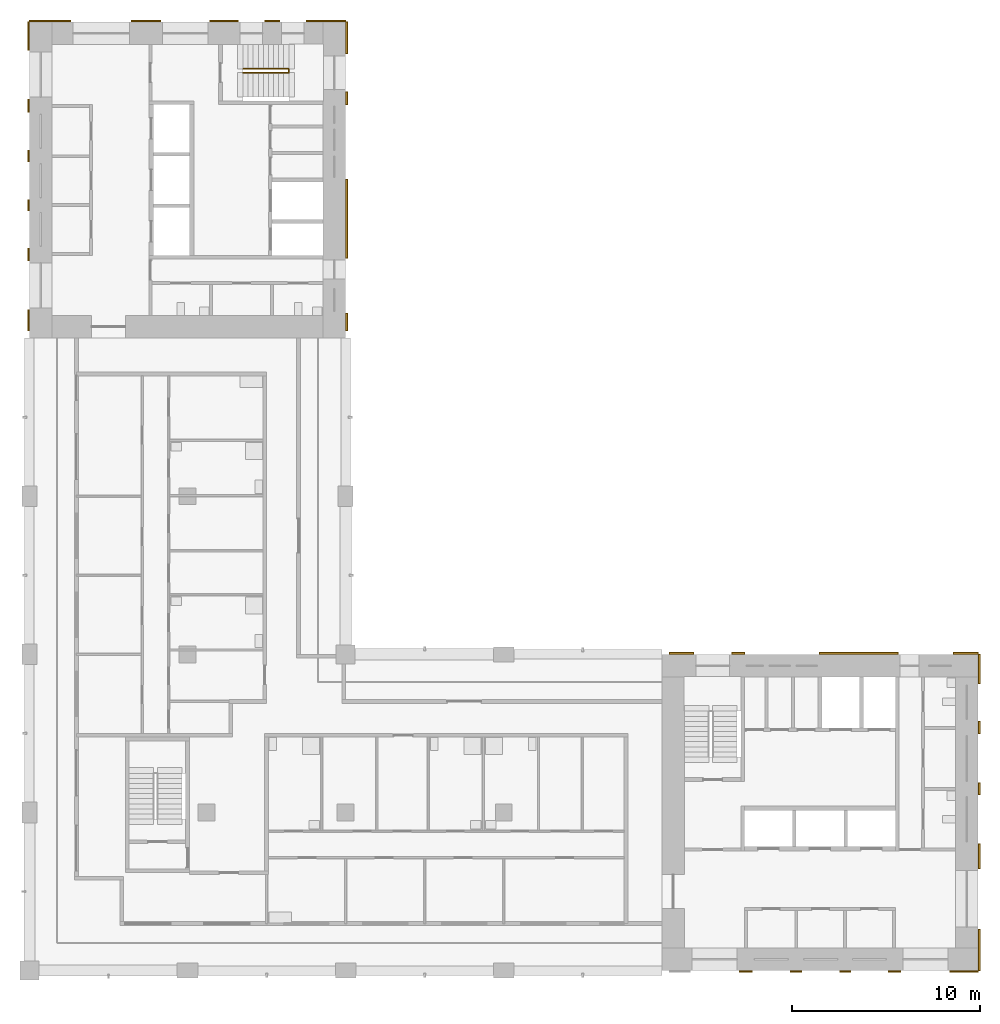
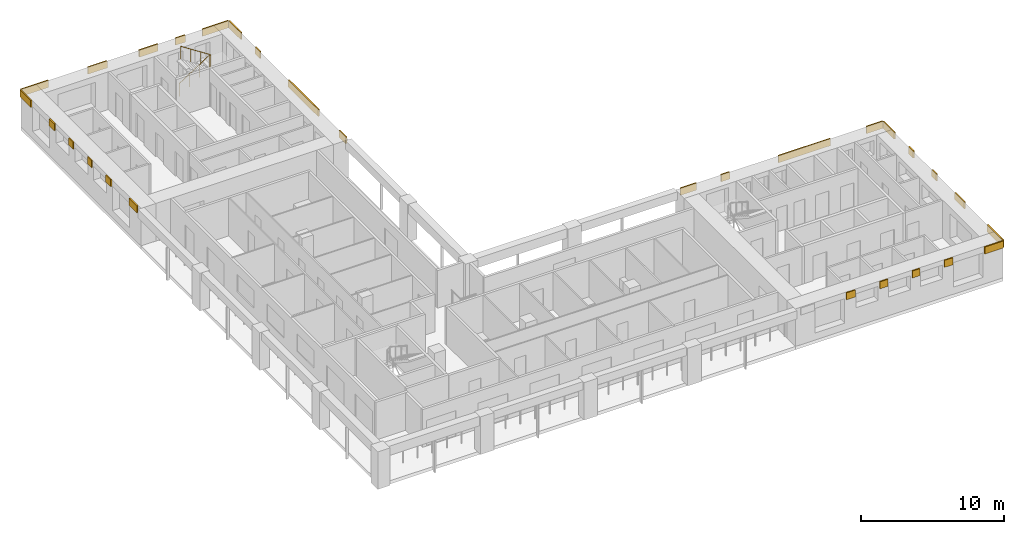
# One storey, part 9 of 10: 29 shading devices, 1 railing.
"""IFC4 building model written with IfcOpenShell, lengths in metres."""

from ifc_helpers import new_model, si_unit, direction, frame, origin, origin_2d, place, context, subcontext, project, spatial, rectangle, circle, extrude, material, layer, layer_set, type_object, element, save


model = new_model("IFC4")

# Units and contexts
model_context = context("Model", 3, precision=1e-05, world=origin(), true_north=direction((0.0, 1.0)))
body_context = subcontext(model_context, "Body", "Model", "MODEL_VIEW")
ifc_project = project(units=[si_unit("LENGTHUNIT", "METRE"), si_unit("AREAUNIT", "SQUARE_METRE"), si_unit("VOLUMEUNIT", "CUBIC_METRE"), si_unit("PLANEANGLEUNIT", "RADIAN"), si_unit("MASSUNIT", "GRAM", prefix="KILO")], contexts=[model_context])

# Site, building, storey
site_placement = place(None, origin())
site = spatial("IfcSite", under=ifc_project, at=site_placement, CompositionType="ELEMENT")
building_placement = place(site_placement, origin())
building = spatial("IfcBuilding", under=site, at=building_placement, Name="Vermilion Gate Residences", CompositionType="ELEMENT")
storey_placement = place(building_placement, frame((0.0, 0.0, 266.699951171875)))
storey = spatial("IfcBuildingStorey", under=building, at=storey_placement, Name="L70", CompositionType="ELEMENT", Elevation=266.699951171875)

# Railing
ifc_material_1 = material(Name="Steel S355", Category="steel")
railing_type = type_object("IfcRailingType", Name="STAIR GUARD 1100 STEEL", PredefinedType="GUARDRAIL", material=ifc_material_1)
railing_placement = place(storey_placement, frame((19.75, 56.300048828125, 0.175048828125)))
element("IfcRailing", 1, at=railing_placement, inside=storey, type_object=railing_type, Name="Stair well guard STB1-70", PredefinedType="GUARDRAIL", context=body_context, shape_type="SweptSolid", body=[
    extrude(circle(Radius=0.02392578125, at=origin_2d()), frame((0.0, 0.0, 1.076171875), z_axis=(0.839153699163, 0.0, 0.543894354798), x_axis=(0.0, 1.0, 0.0)), (0.0, 0.0, 1.0), 2.895751953125),
    extrude(circle(Radius=0.02392578125, at=origin_2d()), frame((2.429931640625, 0.0, 2.65087890625), z_axis=(0.0, -0.752405939678, 0.658699705433), x_axis=(1.0, 0.0, 0.0)), (0.0, 0.0, 1.0), 0.265869140625),
    extrude(circle(Radius=0.02392578125, at=origin_2d()), frame((2.429931640625, -0.199951171875, 2.826171875), z_axis=(-0.839153699163, 0.0, 0.543894354798), x_axis=(0.0, -1.0, 0.0)), (0.0, 0.0, 1.0), 2.895751953125),
    extrude(circle(Radius=0.02099609375, at=origin_2d()), origin(), (0.0, 0.0, 1.0), 1.052001953125),
    extrude(circle(Radius=0.02099609375, at=origin_2d()), frame((0.81005859375, 0.0, 0.52490234375)), (0.0, 0.0, 1.0), 1.052001953125),
    extrude(circle(Radius=0.02099609375, at=origin_2d()), frame((1.619873046875, 0.0, 1.050048828125)), (0.0, 0.0, 1.0), 1.052001953125),
    extrude(circle(Radius=0.02099609375, at=origin_2d()), frame((2.429931640625, 0.0, 1.574951171875)), (0.0, 0.0, 1.0), 1.052001953125),
    extrude(circle(Radius=0.02099609375, at=origin_2d()), frame((2.429931640625, -0.199951171875, 1.75)), (0.0, 0.0, 1.0), 1.052001953125),
    extrude(circle(Radius=0.02099609375, at=origin_2d()), frame((1.619873046875, -0.199951171875, 2.27490234375)), (0.0, 0.0, 1.0), 1.052001953125),
    extrude(circle(Radius=0.02099609375, at=origin_2d()), frame((0.81005859375, -0.199951171875, 2.800048828125)), (0.0, 0.0, 1.0), 1.052001953125),
    extrude(circle(Radius=0.02099609375, at=origin_2d()), frame((0.0, -0.199951171875, 3.324951171875)), (0.0, 0.0, 1.0), 1.052001953125),
])

# Shading devices
ifc_material_2 = material(Name="Extruded terracotta", Category="masonry")
ifc_layer = layer(ifc_material_2, 0.10009765625)
ifc_layer_set = layer_set([ifc_layer], Name="TERRACOTTA SPANDREL BAND 600 X 100")
shading_device_type = type_object("IfcShadingDeviceType", Name="TERRACOTTA SPANDREL BAND 600 X 100", PredefinedType="USERDEFINED", material=ifc_layer_set)
shading_device_1_placement = place(storey_placement, frame((46.4541015625, 8.35009765625, 2.6201171875), z_axis=(0.0, 0.0, 1.0), x_axis=(1.0, 0.0, 0.0)))
element("IfcShadingDevice", 2, at=shading_device_1_placement, inside=storey, type_object=shading_device_type, Name="SPANDREL BAND", ObjectType="BAND", PredefinedType="USERDEFINED", context=body_context, shape_type="SweptSolid", body=[
    extrude(rectangle(XDim=0.7080078125, YDim=0.10009765625, at=origin_2d()), origin(), (0.0, 0.0, 1.0), 0.60009765625),
])
shading_device_2_placement = place(storey_placement, frame((49.12255859375, 8.35009765625, 2.6201171875), z_axis=(0.0, 0.0, 1.0), x_axis=(1.0, 0.0, 0.0)))
element("IfcShadingDevice", 3, at=shading_device_2_placement, inside=storey, type_object=shading_device_type, Name="SPANDREL BAND", ObjectType="BAND", PredefinedType="USERDEFINED", context=body_context, shape_type="SweptSolid", body=[
    extrude(rectangle(XDim=0.62890625, YDim=0.10009765625, at=origin_2d()), origin(), (0.0, 0.0, 1.0), 0.60009765625),
])
shading_device_3_placement = place(storey_placement, frame((51.73291015625, 8.35009765625, 2.6201171875), z_axis=(0.0, 0.0, 1.0), x_axis=(1.0, 0.0, 0.0)))
element("IfcShadingDevice", 4, at=shading_device_3_placement, inside=storey, type_object=shading_device_type, Name="SPANDREL BAND", ObjectType="BAND", PredefinedType="USERDEFINED", context=body_context, shape_type="SweptSolid", body=[
    extrude(rectangle(XDim=0.592041015625, YDim=0.10009765625, at=origin_2d()), origin(), (0.0, 0.0, 1.0), 0.60009765625),
])
shading_device_4_placement = place(storey_placement, frame((54.364501953125, 8.35009765625, 2.6201171875), z_axis=(0.0, 0.0, 1.0), x_axis=(1.0, 0.0, 0.0)))
element("IfcShadingDevice", 5, at=shading_device_4_placement, inside=storey, type_object=shading_device_type, Name="SPANDREL BAND", ObjectType="BAND", PredefinedType="USERDEFINED", context=body_context, shape_type="SweptSolid", body=[
    extrude(rectangle(XDim=0.6708984375, YDim=0.10009765625, at=origin_2d()), origin(), (0.0, 0.0, 1.0), 0.60009765625),
])
shading_device_5_placement = place(storey_placement, frame((58.050048828125, 8.35009765625, 2.6201171875), z_axis=(0.0, 0.0, 1.0), x_axis=(1.0, 0.0, 0.0)))
element("IfcShadingDevice", 6, at=shading_device_5_placement, inside=storey, type_object=shading_device_type, Name="SPANDREL BAND", ObjectType="BAND", PredefinedType="USERDEFINED", context=body_context, shape_type="SweptSolid", body=[
    extrude(rectangle(XDim=1.5, YDim=0.10009765625, at=origin_2d()), origin(), (0.0, 0.0, 1.0), 0.60009765625),
])
shading_device_6_placement = place(storey_placement, frame((43.050048828125, 25.25, 2.6201171875), z_axis=(0.0, 0.0, 1.0), x_axis=(1.0, 0.0, 0.0)))
element("IfcShadingDevice", 7, at=shading_device_6_placement, inside=storey, type_object=shading_device_type, Name="SPANDREL BAND", ObjectType="BAND", PredefinedType="USERDEFINED", context=body_context, shape_type="SweptSolid", body=[
    extrude(rectangle(XDim=1.300048828125, YDim=0.10009765625, at=origin_2d()), origin(), (0.0, 0.0, 1.0), 0.60009765625),
])
shading_device_7_placement = place(storey_placement, frame((46.044921875, 25.25, 2.6201171875), z_axis=(0.0, 0.0, 1.0), x_axis=(1.0, 0.0, 0.0)))
element("IfcShadingDevice", 8, at=shading_device_7_placement, inside=storey, type_object=shading_device_type, Name="SPANDREL BAND", ObjectType="BAND", PredefinedType="USERDEFINED", context=body_context, shape_type="SweptSolid", body=[
    extrude(rectangle(XDim=0.68994140625, YDim=0.10009765625, at=origin_2d()), origin(), (0.0, 0.0, 1.0), 0.60009765625),
])
shading_device_8_placement = place(storey_placement, frame((52.449951171875, 25.25, 2.6201171875), z_axis=(0.0, 0.0, 1.0), x_axis=(1.0, 0.0, 0.0)))
element("IfcShadingDevice", 9, at=shading_device_8_placement, inside=storey, type_object=shading_device_type, Name="SPANDREL BAND", ObjectType="BAND", PredefinedType="USERDEFINED", context=body_context, shape_type="SweptSolid", body=[
    extrude(rectangle(XDim=4.199951171875, YDim=0.10009765625, at=origin_2d()), origin(), (0.0, 0.0, 1.0), 0.60009765625),
])
shading_device_9_placement = place(storey_placement, frame((58.137451171875, 25.25, 2.6201171875), z_axis=(0.0, 0.0, 1.0), x_axis=(1.0, 0.0, 0.0)))
element("IfcShadingDevice", 10, at=shading_device_9_placement, inside=storey, type_object=shading_device_type, Name="SPANDREL BAND", ObjectType="BAND", PredefinedType="USERDEFINED", context=body_context, shape_type="SweptSolid", body=[
    extrude(rectangle(XDim=1.324951171875, YDim=0.10009765625, at=origin_2d()), origin(), (0.0, 0.0, 1.0), 0.60009765625),
])
shading_device_10_placement = place(storey_placement, frame((58.85009765625, 9.50244140625, 2.6201171875), z_axis=(0.0, 0.0, 1.0), x_axis=(0.0, 1.0, 0.0)))
element("IfcShadingDevice", 11, at=shading_device_10_placement, inside=storey, type_object=shading_device_type, Name="SPANDREL BAND", ObjectType="BAND", PredefinedType="USERDEFINED", context=body_context, shape_type="SweptSolid", body=[
    extrude(rectangle(XDim=2.205078125, YDim=0.10009765625, at=origin_2d()), origin(), (0.0, 0.0, 1.0), 0.60009765625),
])
shading_device_11_placement = place(storey_placement, frame((58.85009765625, 14.472412109375, 2.6201171875), z_axis=(0.0, 0.0, 1.0), x_axis=(0.0, 1.0, 0.0)))
element("IfcShadingDevice", 12, at=shading_device_11_placement, inside=storey, type_object=shading_device_type, Name="SPANDREL BAND", ObjectType="BAND", PredefinedType="USERDEFINED", context=body_context, shape_type="SweptSolid", body=[
    extrude(rectangle(XDim=1.3349609375, YDim=0.10009765625, at=origin_2d()), origin(), (0.0, 0.0, 1.0), 0.60009765625),
])
shading_device_12_placement = place(storey_placement, frame((58.85009765625, 18.054931640625, 2.6201171875), z_axis=(0.0, 0.0, 1.0), x_axis=(0.0, 1.0, 0.0)))
element("IfcShadingDevice", 13, at=shading_device_12_placement, inside=storey, type_object=shading_device_type, Name="SPANDREL BAND", ObjectType="BAND", PredefinedType="USERDEFINED", context=body_context, shape_type="SweptSolid", body=[
    extrude(rectangle(XDim=0.6298828125, YDim=0.10009765625, at=origin_2d()), origin(), (0.0, 0.0, 1.0), 0.60009765625),
])
shading_device_13_placement = place(storey_placement, frame((58.85009765625, 21.31005859375, 2.6201171875), z_axis=(0.0, 0.0, 1.0), x_axis=(0.0, 1.0, 0.0)))
element("IfcShadingDevice", 14, at=shading_device_13_placement, inside=storey, type_object=shading_device_type, Name="SPANDREL BAND", ObjectType="BAND", PredefinedType="USERDEFINED", context=body_context, shape_type="SweptSolid", body=[
    extrude(rectangle(XDim=0.679931640625, YDim=0.10009765625, at=origin_2d()), origin(), (0.0, 0.0, 1.0), 0.60009765625),
])
shading_device_14_placement = place(storey_placement, frame((58.85009765625, 24.425048828125, 2.6201171875), z_axis=(0.0, 0.0, 1.0), x_axis=(0.0, 1.0, 0.0)))
element("IfcShadingDevice", 15, at=shading_device_14_placement, inside=storey, type_object=shading_device_type, Name="SPANDREL BAND", ObjectType="BAND", PredefinedType="USERDEFINED", context=body_context, shape_type="SweptSolid", body=[
    extrude(rectangle(XDim=1.550048828125, YDim=0.10009765625, at=origin_2d()), origin(), (0.0, 0.0, 1.0), 0.60009765625),
])
shading_device_15_placement = place(storey_placement, frame((9.50244140625, 58.85009765625, 2.6201171875), z_axis=(0.0, 0.0, 1.0), x_axis=(1.0, 0.0, 0.0)))
element("IfcShadingDevice", 16, at=shading_device_15_placement, inside=storey, type_object=shading_device_type, Name="SPANDREL BAND", ObjectType="BAND", PredefinedType="USERDEFINED", context=body_context, shape_type="SweptSolid", body=[
    extrude(rectangle(XDim=2.205078125, YDim=0.10009765625, at=origin_2d()), origin(), (0.0, 0.0, 1.0), 0.60009765625),
])
shading_device_16_placement = place(storey_placement, frame((14.590087890625, 58.85009765625, 2.6201171875), z_axis=(0.0, 0.0, 1.0), x_axis=(1.0, 0.0, 0.0)))
element("IfcShadingDevice", 17, at=shading_device_16_placement, inside=storey, type_object=shading_device_type, Name="SPANDREL BAND", ObjectType="BAND", PredefinedType="USERDEFINED", context=body_context, shape_type="SweptSolid", body=[
    extrude(rectangle(XDim=1.570068359375, YDim=0.10009765625, at=origin_2d()), origin(), (0.0, 0.0, 1.0), 0.60009765625),
])
shading_device_17_placement = place(storey_placement, frame((18.734130859375, 58.85009765625, 2.6201171875), z_axis=(0.0, 0.0, 1.0), x_axis=(1.0, 0.0, 0.0)))
element("IfcShadingDevice", 18, at=shading_device_17_placement, inside=storey, type_object=shading_device_type, Name="SPANDREL BAND", ObjectType="BAND", PredefinedType="USERDEFINED", context=body_context, shape_type="SweptSolid", body=[
    extrude(rectangle(XDim=1.518310546875, YDim=0.10009765625, at=origin_2d()), origin(), (0.0, 0.0, 1.0), 0.60009765625),
])
shading_device_18_placement = place(storey_placement, frame((21.294921875, 58.85009765625, 2.6201171875), z_axis=(0.0, 0.0, 1.0), x_axis=(1.0, 0.0, 0.0)))
element("IfcShadingDevice", 19, at=shading_device_18_placement, inside=storey, type_object=shading_device_type, Name="SPANDREL BAND", ObjectType="BAND", PredefinedType="USERDEFINED", context=body_context, shape_type="SweptSolid", body=[
    extrude(rectangle(XDim=0.803466796875, YDim=0.10009765625, at=origin_2d()), origin(), (0.0, 0.0, 1.0), 0.60009765625),
])
shading_device_19_placement = place(storey_placement, frame((24.1484375, 58.85009765625, 2.6201171875), z_axis=(0.0, 0.0, 1.0), x_axis=(1.0, 0.0, 0.0)))
element("IfcShadingDevice", 20, at=shading_device_19_placement, inside=storey, type_object=shading_device_type, Name="SPANDREL BAND", ObjectType="BAND", PredefinedType="USERDEFINED", context=body_context, shape_type="SweptSolid", body=[
    extrude(rectangle(XDim=2.103271484375, YDim=0.10009765625, at=origin_2d()), origin(), (0.0, 0.0, 1.0), 0.60009765625),
])
shading_device_20_placement = place(storey_placement, frame((8.35009765625, 42.949951171875, 2.6201171875), z_axis=(0.0, 0.0, 1.0), x_axis=(0.0, 1.0, 0.0)))
element("IfcShadingDevice", 21, at=shading_device_20_placement, inside=storey, type_object=shading_device_type, Name="SPANDREL BAND", ObjectType="BAND", PredefinedType="USERDEFINED", context=body_context, shape_type="SweptSolid", body=[
    extrude(rectangle(XDim=1.10009765625, YDim=0.10009765625, at=origin_2d()), origin(), (0.0, 0.0, 1.0), 0.60009765625),
])
shading_device_21_placement = place(storey_placement, frame((8.35009765625, 46.435546875, 2.6201171875), z_axis=(0.0, 0.0, 1.0), x_axis=(0.0, 1.0, 0.0)))
element("IfcShadingDevice", 22, at=shading_device_21_placement, inside=storey, type_object=shading_device_type, Name="SPANDREL BAND", ObjectType="BAND", PredefinedType="USERDEFINED", context=body_context, shape_type="SweptSolid", body=[
    extrude(rectangle(XDim=0.6708984375, YDim=0.10009765625, at=origin_2d()), origin(), (0.0, 0.0, 1.0), 0.60009765625),
])
shading_device_22_placement = place(storey_placement, frame((8.35009765625, 49.06689453125, 2.6201171875), z_axis=(0.0, 0.0, 1.0), x_axis=(0.0, 1.0, 0.0)))
element("IfcShadingDevice", 23, at=shading_device_22_placement, inside=storey, type_object=shading_device_type, Name="SPANDREL BAND", ObjectType="BAND", PredefinedType="USERDEFINED", context=body_context, shape_type="SweptSolid", body=[
    extrude(rectangle(XDim=0.592041015625, YDim=0.10009765625, at=origin_2d()), origin(), (0.0, 0.0, 1.0), 0.60009765625),
])
shading_device_23_placement = place(storey_placement, frame((8.35009765625, 51.677490234375, 2.6201171875), z_axis=(0.0, 0.0, 1.0), x_axis=(0.0, 1.0, 0.0)))
element("IfcShadingDevice", 24, at=shading_device_23_placement, inside=storey, type_object=shading_device_type, Name="SPANDREL BAND", ObjectType="BAND", PredefinedType="USERDEFINED", context=body_context, shape_type="SweptSolid", body=[
    extrude(rectangle(XDim=0.62890625, YDim=0.10009765625, at=origin_2d()), origin(), (0.0, 0.0, 1.0), 0.60009765625),
])
shading_device_24_placement = place(storey_placement, frame((8.35009765625, 54.345947265625, 2.6201171875), z_axis=(0.0, 0.0, 1.0), x_axis=(0.0, 1.0, 0.0)))
element("IfcShadingDevice", 25, at=shading_device_24_placement, inside=storey, type_object=shading_device_type, Name="SPANDREL BAND", ObjectType="BAND", PredefinedType="USERDEFINED", context=body_context, shape_type="SweptSolid", body=[
    extrude(rectangle(XDim=0.7080078125, YDim=0.10009765625, at=origin_2d()), origin(), (0.0, 0.0, 1.0), 0.60009765625),
])
shading_device_25_placement = place(storey_placement, frame((8.35009765625, 58.050048828125, 2.6201171875), z_axis=(0.0, 0.0, 1.0), x_axis=(0.0, 1.0, 0.0)))
element("IfcShadingDevice", 26, at=shading_device_25_placement, inside=storey, type_object=shading_device_type, Name="SPANDREL BAND", ObjectType="BAND", PredefinedType="USERDEFINED", context=body_context, shape_type="SweptSolid", body=[
    extrude(rectangle(XDim=1.5, YDim=0.10009765625, at=origin_2d()), origin(), (0.0, 0.0, 1.0), 0.60009765625),
])
shading_device_26_placement = place(storey_placement, frame((25.25, 42.862548828125, 2.6201171875), z_axis=(0.0, 0.0, 1.0), x_axis=(0.0, 1.0, 0.0)))
element("IfcShadingDevice", 27, at=shading_device_26_placement, inside=storey, type_object=shading_device_type, Name="SPANDREL BAND", ObjectType="BAND", PredefinedType="USERDEFINED", context=body_context, shape_type="SweptSolid", body=[
    extrude(rectangle(XDim=0.925048828125, YDim=0.10009765625, at=origin_2d()), origin(), (0.0, 0.0, 1.0), 0.60009765625),
])
shading_device_27_placement = place(storey_placement, frame((25.25, 48.35009765625, 2.6201171875), z_axis=(0.0, 0.0, 1.0), x_axis=(0.0, 1.0, 0.0)))
element("IfcShadingDevice", 28, at=shading_device_27_placement, inside=storey, type_object=shading_device_type, Name="SPANDREL BAND", ObjectType="BAND", PredefinedType="USERDEFINED", context=body_context, shape_type="SweptSolid", body=[
    extrude(rectangle(XDim=4.199951171875, YDim=0.10009765625, at=origin_2d()), origin(), (0.0, 0.0, 1.0), 0.60009765625),
])
shading_device_28_placement = place(storey_placement, frame((25.25, 54.7548828125, 2.6201171875), z_axis=(0.0, 0.0, 1.0), x_axis=(0.0, 1.0, 0.0)))
element("IfcShadingDevice", 29, at=shading_device_28_placement, inside=storey, type_object=shading_device_type, Name="SPANDREL BAND", ObjectType="BAND", PredefinedType="USERDEFINED", context=body_context, shape_type="SweptSolid", body=[
    extrude(rectangle(XDim=0.68994140625, YDim=0.10009765625, at=origin_2d()), origin(), (0.0, 0.0, 1.0), 0.60009765625),
])
shading_device_29_placement = place(storey_placement, frame((25.25, 57.949951171875, 2.6201171875), z_axis=(0.0, 0.0, 1.0), x_axis=(0.0, 1.0, 0.0)))
element("IfcShadingDevice", 30, at=shading_device_29_placement, inside=storey, type_object=shading_device_type, Name="SPANDREL BAND", ObjectType="BAND", PredefinedType="USERDEFINED", context=body_context, shape_type="SweptSolid", body=[
    extrude(rectangle(XDim=1.699951171875, YDim=0.10009765625, at=origin_2d()), origin(), (0.0, 0.0, 1.0), 0.60009765625),
])

save(model, "model.ifc")
